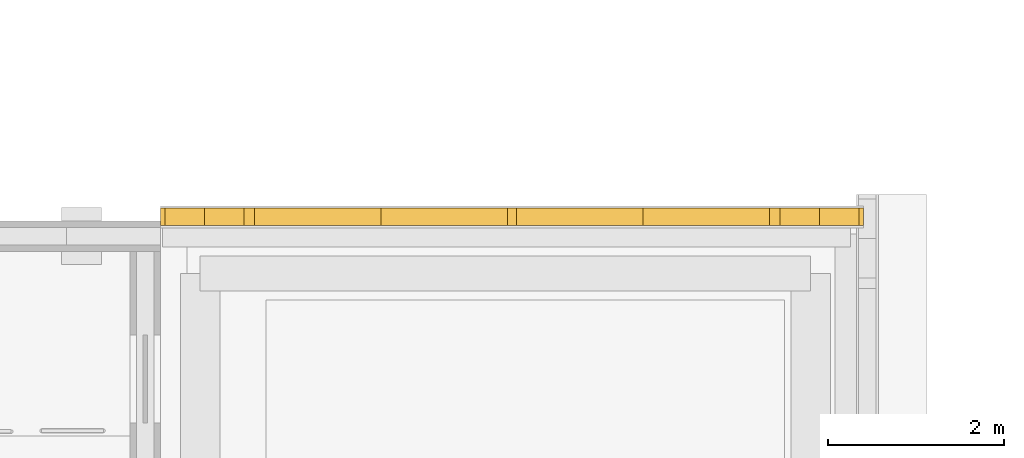
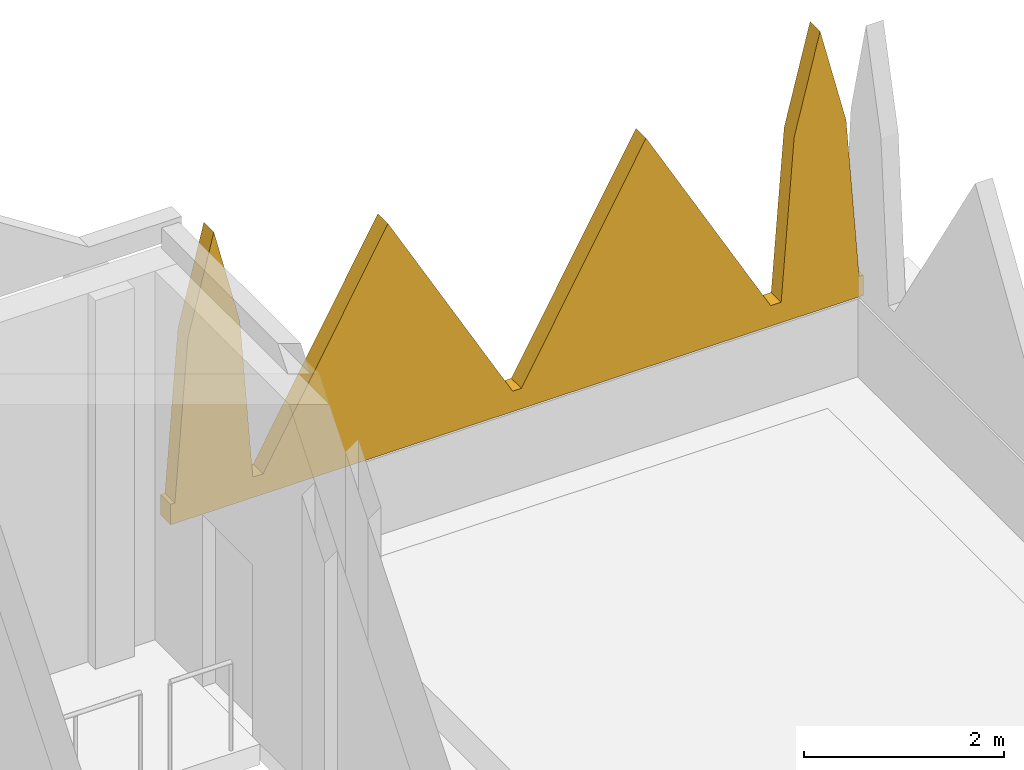
# One storey, part 46 of 46: 1 covering.
"""IFC4 building model written with IfcOpenShell, lengths in metres."""

from ifc_helpers import new_model, si_unit, direction, frame, origin, place, context, subcontext, project, spatial, polyline, outline, extrude, material, layer, layer_set, type_object, element, save


model = new_model("IFC4")

# Units and contexts
model_context = context("Model", 3, precision=1e-05, world=origin(), true_north=direction((0.0, 1.0)))
body_context = subcontext(model_context, "Body", "Model", "MODEL_VIEW")
ifc_project = project(units=[si_unit("LENGTHUNIT", "METRE"), si_unit("AREAUNIT", "SQUARE_METRE"), si_unit("VOLUMEUNIT", "CUBIC_METRE"), si_unit("PLANEANGLEUNIT", "RADIAN"), si_unit("MASSUNIT", "GRAM", prefix="KILO")], contexts=[model_context])

# Site, building, storey
site_placement = place(None, origin())
site = spatial("IfcSite", under=ifc_project, at=site_placement, CompositionType="ELEMENT")
building_placement = place(site_placement, origin())
building = spatial("IfcBuilding", under=site, at=building_placement, Name="Lantern Court Media Centre", CompositionType="ELEMENT")
storey_placement = place(building_placement, frame((0.0, 0.0, 28.800048828125)))
storey = spatial("IfcBuildingStorey", under=building, at=storey_placement, Name="L06", CompositionType="ELEMENT", Elevation=28.800048828125)

# Covering
ifc_material = material(Name="Honed limestone cladding on blockwork", Category="masonry")
ifc_layer = layer(ifc_material, 0.199951171875)
ifc_layer_set = layer_set([ifc_layer], Name="Honed limestone cladding on blockwork")
covering_type = type_object("IfcCoveringType", Name="Limestone cresting 200", PredefinedType="CLADDING", material=ifc_layer_set)
covering_placement = place(storey_placement, frame((88.0, 112.044921875, 1.099853515625), z_axis=(0.0, 0.0, 1.0), x_axis=(1.0, 0.0, 0.0)))
element("IfcCovering", 1, at=covering_placement, inside=storey, type_object=covering_type, Name="Parapet cresting", PredefinedType="CLADDING", context=body_context, shape_type="SweptSolid", body=[
    extrude(outline(polyline([(0.0, 0.0), (8.0, 0.0), (8.0, 0.25), (7.949951171875, 0.25), (7.800048828125, 2.210205078125), (7.5, 3.400146484375), (7.199951171875, 2.210205078125), (7.050048828125, 0.25), (6.929931640625, 0.25), (5.489990234375, 2.800048828125), (4.050048828125, 0.25), (3.949951171875, 0.25), (2.510009765625, 2.800048828125), (1.070068359375, 0.25), (0.949951171875, 0.25), (0.800048828125, 2.210205078125), (0.5, 3.400146484375), (0.199951171875, 2.210205078125), (0.050048828125, 0.25), (0.0, 0.25), (0.0, 0.0)])), frame((0.0, 0.10009765625, 0.0), z_axis=(0.0, -1.0, 0.0), x_axis=(1.0, 0.0, 0.0)), (0.0, 0.0, 1.0), 0.199951171875),
])

save(model, "model.ifc")
